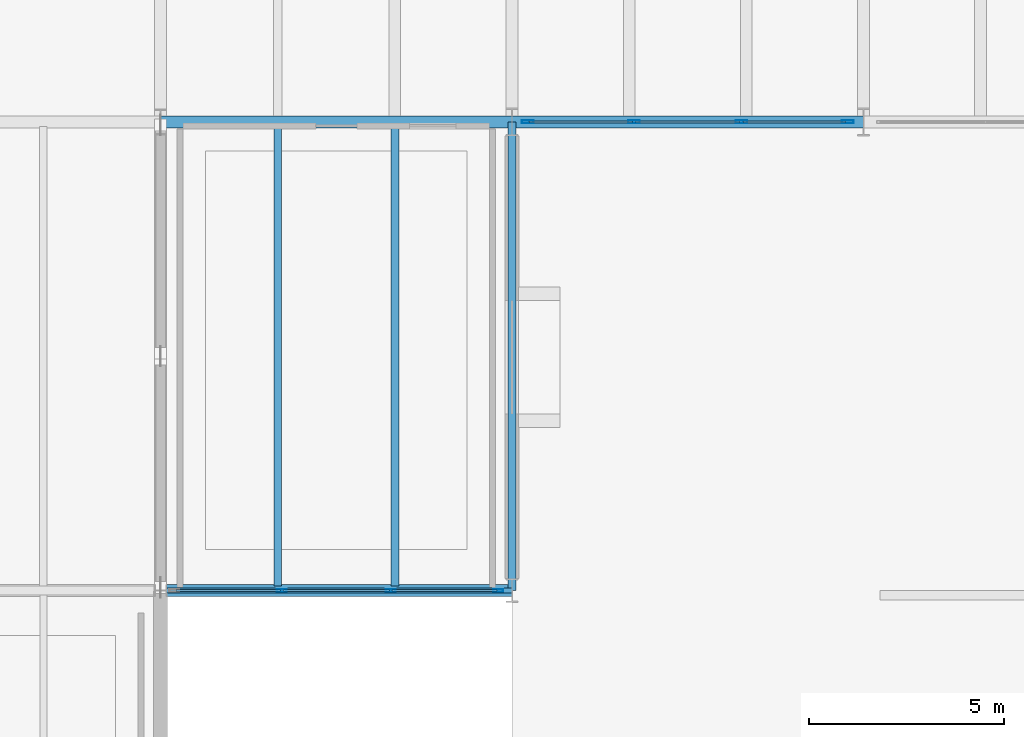
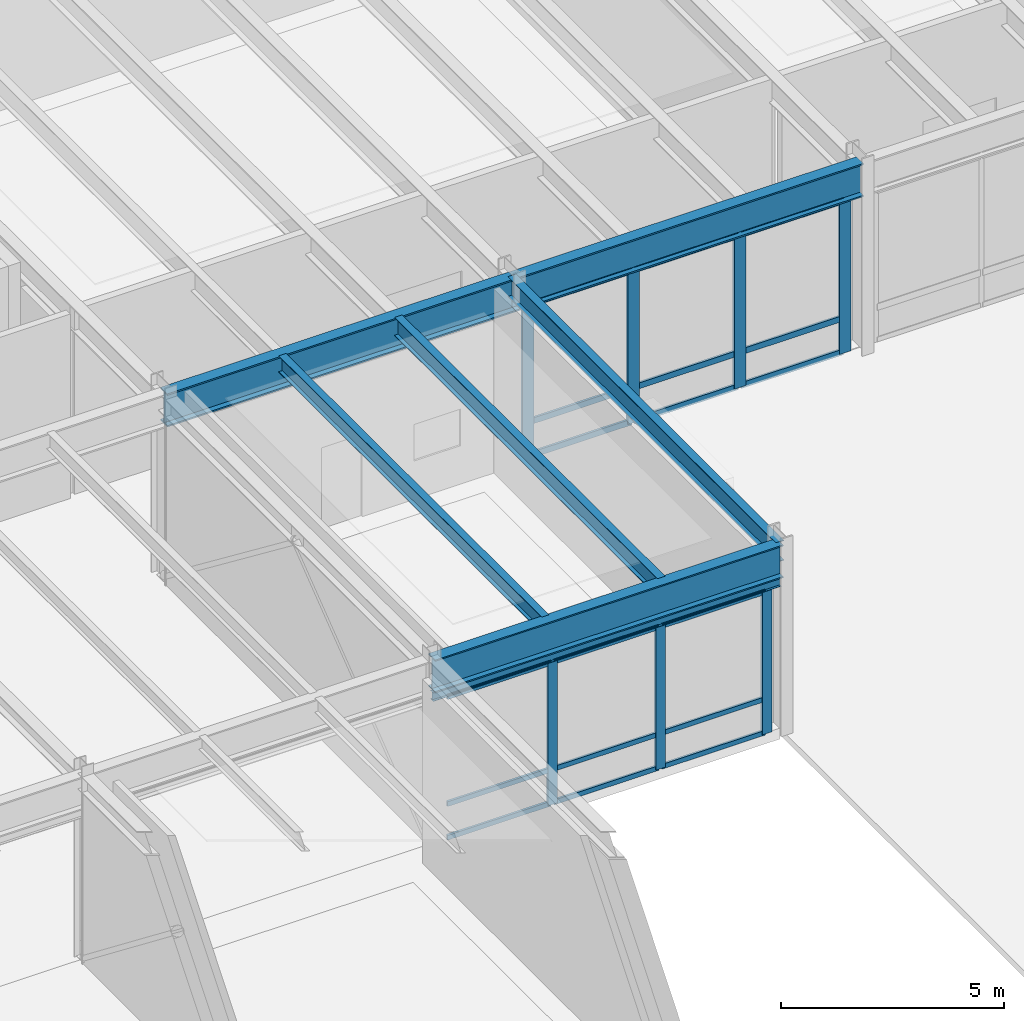
# One storey, part 98 of 143: 25 members, 7 beams, 2 elements without a shape of their own.
"""IFC4 building model written with IfcOpenShell, lengths in metres."""

from ifc_helpers import new_model, si_unit, direction, frame, origin, origin_2d, place, context, subcontext, project, spatial, hollow_rectangle, i_section, extrude, material, layer, layer_set, material_profile, profile_set, type_object, element, aggregate, save


model = new_model("IFC4")

# Units and contexts
model_context = context("Model", 3, precision=1e-05, world=origin(), true_north=direction((0.0, 1.0)))
body_context = subcontext(model_context, "Body", "Model", "MODEL_VIEW")
ifc_project = project(units=[si_unit("LENGTHUNIT", "METRE"), si_unit("AREAUNIT", "SQUARE_METRE"), si_unit("VOLUMEUNIT", "CUBIC_METRE"), si_unit("PLANEANGLEUNIT", "RADIAN"), si_unit("MASSUNIT", "GRAM", prefix="KILO")], contexts=[model_context])

# Site, building, storey
site_placement = place(None, origin())
site = spatial("IfcSite", under=ifc_project, at=site_placement, CompositionType="ELEMENT")
building_placement = place(site_placement, origin())
building = spatial("IfcBuilding", under=site, at=building_placement, Name="Montelvaro Courts of Justice", CompositionType="ELEMENT")
storey_placement = place(building_placement, origin())
storey = spatial("IfcBuildingStorey", under=building, at=storey_placement, Name="L00", CompositionType="ELEMENT", Elevation=0.0)

# Beams
ifc_material_1 = material(Name="Steel S355", Category="steel")
ifc_material_profile_1 = material_profile(ifc_material_1, i_section(OverallWidth=0.300048828125, OverallDepth=0.89990234375, WebThickness=0.0185546875, FlangeThickness=0.034912109375, at=origin_2d()), Name="HEB 900")
ifc_profile_set_1 = profile_set([ifc_material_profile_1], Name="Steel S355")
beam_type_1 = type_object("IfcBeamType", Name="Beam_HEB900", PredefinedType="USERDEFINED", material=ifc_profile_set_1)
beam_1_placement = place(storey_placement, frame((126.0, 66.0, 4.64990234375), z_axis=(1.0, 0.0, 0.0), x_axis=(0.0, 1.0, 0.0)))
element("IfcBeam", 1, at=beam_1_placement, inside=storey, type_object=beam_type_1, Name="Beam B-30 L00", ObjectType="GIRDER", PredefinedType="USERDEFINED", context=body_context, shape_type="SweptSolid", body=[
    extrude(i_section(OverallWidth=0.300048828125, OverallDepth=0.89990234375, WebThickness=0.0185546875, FlangeThickness=0.034912109375, at=origin_2d()), origin(), (0.0, 0.0, 1.0), 9.0),
])
ifc_material_profile_2 = material_profile(ifc_material_1, i_section(OverallWidth=0.302001953125, OverallDepth=0.909912109375, WebThickness=0.02099609375, FlangeThickness=0.0400390625, at=origin_2d()), Name="HEM 900")
ifc_profile_set_2 = profile_set([ifc_material_profile_2], Name="Steel S355")
beam_type_2 = type_object("IfcBeamType", Name="Beam_HEM900", PredefinedType="USERDEFINED", material=ifc_profile_set_2)
for number, where, z_axis, x_axis, name in (
    (2, (126.0, 78.0, 4.64501953125), (1.0, 0.0, 0.0), (0.0, 1.0, 0.0), "Beam B-31 L00"),
    (3, (135.0, 78.0, 4.64501953125), (1.0, 0.0, 0.0), (0.0, 1.0, 0.0), "Beam B-31 L00"),
):
    element("IfcBeam", number, at=place(storey_placement, frame(where, z_axis=z_axis, x_axis=x_axis)), inside=storey, type_object=beam_type_2, Name=name, ObjectType="GIRDER", PredefinedType="USERDEFINED", context=body_context, shape_type="SweptSolid", body=[
        extrude(i_section(OverallWidth=0.302001953125, OverallDepth=0.909912109375, WebThickness=0.02099609375, FlangeThickness=0.0400390625, at=origin_2d()), origin(), (0.0, 0.0, 1.0), 9.0),
    ])
ifc_material_profile_3 = material_profile(ifc_material_1, i_section(OverallWidth=0.1201171875, OverallDepth=0.239990234375, WebThickness=0.006103515625, FlangeThickness=0.009765625, at=origin_2d()), Name="IPE 240")
ifc_profile_set_3 = profile_set([ifc_material_profile_3], Name="Steel S355")
beam_type_3 = type_object("IfcBeamType", Name="Beam_IPE240", PredefinedType="LINTEL", material=ifc_profile_set_3)
beam_2_placement = place(storey_placement, frame((126.0, 66.0, 4.030029296875), z_axis=(1.0, 0.0, 0.0), x_axis=(0.0, 1.0, 0.0)))
element("IfcBeam", 4, at=beam_2_placement, inside=storey, type_object=beam_type_3, Name="Beam B-03 L00", PredefinedType="LINTEL", context=body_context, shape_type="SweptSolid", body=[
    extrude(i_section(OverallWidth=0.1201171875, OverallDepth=0.239990234375, WebThickness=0.006103515625, FlangeThickness=0.009765625, at=origin_2d()), origin(), (0.0, 0.0, 1.0), 9.0),
])
ifc_material_profile_4 = material_profile(ifc_material_1, i_section(OverallWidth=0.18994140625, OverallDepth=0.449951171875, WebThickness=0.009521484375, FlangeThickness=0.0146484375, at=origin_2d()), Name="IPE 450")
ifc_profile_set_4 = profile_set([ifc_material_profile_4], Name="Steel S355")
beam_type_4 = type_object("IfcBeamType", Name="Beam_IPE450", PredefinedType="BEAM", material=ifc_profile_set_4)
beam_3_placement = place(storey_placement, frame((129.0, 66.110107421875, 4.875), z_axis=(0.0, 1.0, 0.0), x_axis=(-1.0, 0.0, 0.0)))
element("IfcBeam", 5, at=beam_3_placement, inside=storey, type_object=beam_type_4, Name="Beam B-09 L00", PredefinedType="BEAM", context=body_context, shape_type="SweptSolid", body=[
    extrude(i_section(OverallWidth=0.18994140625, OverallDepth=0.449951171875, WebThickness=0.009521484375, FlangeThickness=0.0146484375, at=origin_2d()), origin(), (0.0, 0.0, 1.0), 11.77978515625),
])
ifc_material_profile_5 = material_profile(ifc_material_1, i_section(OverallWidth=0.199951171875, OverallDepth=0.5, WebThickness=0.01025390625, FlangeThickness=0.01611328125, at=origin_2d()), Name="IPE 500")
ifc_profile_set_5 = profile_set([ifc_material_profile_5], Name="Steel S355")
beam_type_5 = type_object("IfcBeamType", Name="Beam_IPE500", PredefinedType="BEAM", material=ifc_profile_set_5)
beam_4_placement = place(storey_placement, frame((132.0, 66.110107421875, 4.85009765625), z_axis=(0.0, 1.0, 0.0), x_axis=(-1.0, 0.0, 0.0)))
element("IfcBeam", 6, at=beam_4_placement, inside=storey, type_object=beam_type_5, Name="Beam B-10 L00", PredefinedType="BEAM", context=body_context, shape_type="SweptSolid", body=[
    extrude(i_section(OverallWidth=0.199951171875, OverallDepth=0.5, WebThickness=0.01025390625, FlangeThickness=0.01611328125, at=origin_2d()), origin(), (0.0, 0.0, 1.0), 11.77978515625),
])
ifc_material_profile_6 = material_profile(ifc_material_1, i_section(OverallWidth=0.2099609375, OverallDepth=0.550048828125, WebThickness=0.010986328125, FlangeThickness=0.01708984375, at=origin_2d()), Name="IPE 550")
ifc_profile_set_6 = profile_set([ifc_material_profile_6], Name="Steel S355")
beam_type_6 = type_object("IfcBeamType", Name="Beam_IPE550", PredefinedType="BEAM", material=ifc_profile_set_6)
beam_5_placement = place(storey_placement, frame((135.0, 66.0, 4.824951171875), z_axis=(0.0, 1.0, 0.0), x_axis=(-1.0, 0.0, 0.0)))
element("IfcBeam", 7, at=beam_5_placement, inside=storey, type_object=beam_type_6, Name="Beam B-11 L00", PredefinedType="BEAM", context=body_context, shape_type="SweptSolid", body=[
    extrude(i_section(OverallWidth=0.2099609375, OverallDepth=0.550048828125, WebThickness=0.010986328125, FlangeThickness=0.01708984375, at=origin_2d()), origin(), (0.0, 0.0, 1.0), 12.0),
])

# Curtain wall, members
ifc_material_2 = material(Name="Anodised aluminium EN AW-6063", Category="aluminium")
ifc_layer_1 = layer(ifc_material_2, 0.159912109375)
ifc_layer_set_1 = layer_set([ifc_layer_1], Name="Anodised aluminium EN AW-6063")
curtain_wall_type_1 = type_object("IfcCurtainWallType", Name="CurtainWall_05_837x508", PredefinedType="USERDEFINED", material=ifc_layer_set_1)
curtain_wall_1_placement = place(storey_placement, origin())
curtain_wall_1 = element("IfcCurtainWall", 8, at=curtain_wall_1_placement, inside=storey, type_object=curtain_wall_type_1, Name="Curtain Wall CW-05 (L00)", ObjectType="CURTAIN WALL", PredefinedType="USERDEFINED")
ifc_material_profile_7 = material_profile(ifc_material_2, hollow_rectangle(XDim=0.074951171875, YDim=0.25, WallThickness=0.005615234375, at=origin_2d()), Name="ALU-M 75x250")
ifc_profile_set_7 = profile_set([ifc_material_profile_7], Name="Anodised aluminium EN AW-6063")
member_type_1 = type_object("IfcMemberType", Name="CurtainWall_Mullion_75x250", PredefinedType="MULLION", material=ifc_profile_set_7)
member_1_placement = place(storey_placement, frame((129.10498046875, 66.0, 0.0), z_axis=(0.0, 0.0, 1.0), x_axis=(0.0, 1.0, 0.0)))
member_1 = element("IfcMember", 9, at=member_1_placement, type_object=member_type_1, Name="CW-05 mullion 2", PredefinedType="MULLION", context=body_context, shape_type="SweptSolid", body=[
    extrude(hollow_rectangle(XDim=0.074951171875, YDim=0.25, WallThickness=0.005615234375, at=origin_2d()), origin(), (0.0, 0.0, 1.0), 3.905029296875),
])
member_2_placement = place(storey_placement, frame((131.89501953125, 66.0, 0.0), z_axis=(0.0, 0.0, 1.0), x_axis=(0.0, 1.0, 0.0)))
member_2 = element("IfcMember", 10, at=member_2_placement, type_object=member_type_1, Name="CW-05 mullion 3", PredefinedType="MULLION", context=body_context, shape_type="SweptSolid", body=[
    extrude(hollow_rectangle(XDim=0.074951171875, YDim=0.25, WallThickness=0.005615234375, at=origin_2d()), origin(), (0.0, 0.0, 1.0), 3.905029296875),
])
member_3_placement = place(storey_placement, frame((134.6474609375, 66.0, 0.0), z_axis=(0.0, 0.0, 1.0), x_axis=(0.0, 1.0, 0.0)))
member_3 = element("IfcMember", 11, at=member_3_placement, type_object=member_type_1, Name="CW-05 mullion 4", PredefinedType="MULLION", context=body_context, shape_type="SweptSolid", body=[
    extrude(hollow_rectangle(XDim=0.074951171875, YDim=0.25, WallThickness=0.005615234375, at=origin_2d()), origin(), (0.0, 0.0, 1.0), 3.905029296875),
])

ifc_layer_2 = layer(ifc_material_2, 0.159912109375)
ifc_layer_set_2 = layer_set([ifc_layer_2], Name="Anodised aluminium EN AW-6063")
curtain_wall_type_2 = type_object("IfcCurtainWallType", Name="CurtainWall_01_827x508", PredefinedType="USERDEFINED", material=ifc_layer_set_2)
curtain_wall_2_placement = place(storey_placement, origin())
curtain_wall_2 = element("IfcCurtainWall", 12, at=curtain_wall_2_placement, inside=storey, type_object=curtain_wall_type_2, Name="Curtain Wall CW-01 (L00)", ObjectType="CURTAIN WALL", PredefinedType="USERDEFINED")
ifc_material_profile_8 = material_profile(ifc_material_2, hollow_rectangle(XDim=0.074951171875, YDim=0.300048828125, WallThickness=0.006103515625, at=origin_2d()), Name="ALU-M 75x300")
ifc_profile_set_8 = profile_set([ifc_material_profile_8], Name="Anodised aluminium EN AW-6063")
member_type_2 = type_object("IfcMemberType", Name="CurtainWall_Mullion_75x300", PredefinedType="MULLION", material=ifc_profile_set_8)
member_4_placement = place(storey_placement, frame((135.402587890625, 78.0, 0.0), z_axis=(0.0, 0.0, 1.0), x_axis=(0.0, 1.0, 0.0)))
member_4 = element("IfcMember", 13, at=member_4_placement, type_object=member_type_2, Name="CW-01 mullion 1", PredefinedType="MULLION", context=body_context, shape_type="SweptSolid", body=[
    extrude(hollow_rectangle(XDim=0.074951171875, YDim=0.300048828125, WallThickness=0.006103515625, at=origin_2d()), origin(), (0.0, 0.0, 1.0), 4.18505859375),
])
member_5_placement = place(storey_placement, frame((138.12158203125, 78.0, 0.0), z_axis=(0.0, 0.0, 1.0), x_axis=(0.0, 1.0, 0.0)))
member_5 = element("IfcMember", 14, at=member_5_placement, type_object=member_type_2, Name="CW-01 mullion 2", PredefinedType="MULLION", context=body_context, shape_type="SweptSolid", body=[
    extrude(hollow_rectangle(XDim=0.074951171875, YDim=0.300048828125, WallThickness=0.006103515625, at=origin_2d()), origin(), (0.0, 0.0, 1.0), 4.18505859375),
])
member_6_placement = place(storey_placement, frame((140.87841796875, 78.0, 0.0), z_axis=(0.0, 0.0, 1.0), x_axis=(0.0, 1.0, 0.0)))
member_6 = element("IfcMember", 15, at=member_6_placement, type_object=member_type_2, Name="CW-01 mullion 3", PredefinedType="MULLION", context=body_context, shape_type="SweptSolid", body=[
    extrude(hollow_rectangle(XDim=0.074951171875, YDim=0.300048828125, WallThickness=0.006103515625, at=origin_2d()), origin(), (0.0, 0.0, 1.0), 4.18505859375),
])
member_7_placement = place(storey_placement, frame((143.597412109375, 78.0, 0.0), z_axis=(0.0, 0.0, 1.0), x_axis=(0.0, 1.0, 0.0)))
member_7 = element("IfcMember", 16, at=member_7_placement, type_object=member_type_2, Name="CW-01 mullion 4", PredefinedType="MULLION", context=body_context, shape_type="SweptSolid", body=[
    extrude(hollow_rectangle(XDim=0.074951171875, YDim=0.300048828125, WallThickness=0.006103515625, at=origin_2d()), origin(), (0.0, 0.0, 1.0), 4.18505859375),
])

# Member
ifc_material_profile_9 = material_profile(ifc_material_2, hollow_rectangle(XDim=0.06005859375, YDim=0.1298828125, WallThickness=0.00390625, at=origin_2d()), Name="ALU-T 60x130")
ifc_profile_set_9 = profile_set([ifc_material_profile_9], Name="Anodised aluminium EN AW-6063")
member_type_3 = type_object("IfcMemberType", Name="CurtainWall_Transom_60x130", PredefinedType="USERDEFINED", material=ifc_profile_set_9)
member_8_placement = place(storey_placement, frame((126.389892578125, 66.0, 0.030029296875), z_axis=(1.0, 0.0, 0.0), x_axis=(0.0, 1.0, 0.0)))
member_8 = element("IfcMember", 17, at=member_8_placement, type_object=member_type_3, Name="CW-05 transom 1.1", ObjectType="TRANSOM", PredefinedType="USERDEFINED", context=body_context, shape_type="SweptSolid", body=[
    extrude(hollow_rectangle(XDim=0.06005859375, YDim=0.1298828125, WallThickness=0.00390625, at=origin_2d()), origin(), (0.0, 0.0, 1.0), 2.677490234375),
])

member_9_placement = place(storey_placement, frame((126.389892578125, 66.0, 0.949951171875), z_axis=(1.0, 0.0, 0.0), x_axis=(0.0, 1.0, 0.0)))
member_9 = element("IfcMember", 18, at=member_9_placement, type_object=member_type_3, Name="CW-05 transom 1.2", ObjectType="TRANSOM", PredefinedType="USERDEFINED", context=body_context, shape_type="SweptSolid", body=[
    extrude(hollow_rectangle(XDim=0.06005859375, YDim=0.1298828125, WallThickness=0.00390625, at=origin_2d()), origin(), (0.0, 0.0, 1.0), 2.677490234375),
])

member_10_placement = place(storey_placement, frame((126.389892578125, 66.0, 3.875), z_axis=(1.0, 0.0, 0.0), x_axis=(0.0, 1.0, 0.0)))
member_10 = element("IfcMember", 19, at=member_10_placement, type_object=member_type_3, Name="CW-05 transom 1.3", ObjectType="TRANSOM", PredefinedType="USERDEFINED", context=body_context, shape_type="SweptSolid", body=[
    extrude(hollow_rectangle(XDim=0.06005859375, YDim=0.1298828125, WallThickness=0.00390625, at=origin_2d()), origin(), (0.0, 0.0, 1.0), 2.677490234375),
])

member_11_placement = place(storey_placement, frame((129.142578125, 66.0, 0.030029296875), z_axis=(1.0, 0.0, 0.0), x_axis=(0.0, 1.0, 0.0)))
member_11 = element("IfcMember", 20, at=member_11_placement, type_object=member_type_3, Name="CW-05 transom 2.1", ObjectType="TRANSOM", PredefinedType="USERDEFINED", context=body_context, shape_type="SweptSolid", body=[
    extrude(hollow_rectangle(XDim=0.06005859375, YDim=0.1298828125, WallThickness=0.00390625, at=origin_2d()), origin(), (0.0, 0.0, 1.0), 2.71484375),
])

member_12_placement = place(storey_placement, frame((129.142578125, 66.0, 0.949951171875), z_axis=(1.0, 0.0, 0.0), x_axis=(0.0, 1.0, 0.0)))
member_12 = element("IfcMember", 21, at=member_12_placement, type_object=member_type_3, Name="CW-05 transom 2.2", ObjectType="TRANSOM", PredefinedType="USERDEFINED", context=body_context, shape_type="SweptSolid", body=[
    extrude(hollow_rectangle(XDim=0.06005859375, YDim=0.1298828125, WallThickness=0.00390625, at=origin_2d()), origin(), (0.0, 0.0, 1.0), 2.71484375),
])

member_13_placement = place(storey_placement, frame((129.142578125, 66.0, 3.875), z_axis=(1.0, 0.0, 0.0), x_axis=(0.0, 1.0, 0.0)))
member_13 = element("IfcMember", 22, at=member_13_placement, type_object=member_type_3, Name="CW-05 transom 2.3", ObjectType="TRANSOM", PredefinedType="USERDEFINED", context=body_context, shape_type="SweptSolid", body=[
    extrude(hollow_rectangle(XDim=0.06005859375, YDim=0.1298828125, WallThickness=0.00390625, at=origin_2d()), origin(), (0.0, 0.0, 1.0), 2.71484375),
])

member_14_placement = place(storey_placement, frame((131.9326171875, 66.0, 0.030029296875), z_axis=(1.0, 0.0, 0.0), x_axis=(0.0, 1.0, 0.0)))
member_14 = element("IfcMember", 23, at=member_14_placement, type_object=member_type_3, Name="CW-05 transom 3.1", ObjectType="TRANSOM", PredefinedType="USERDEFINED", context=body_context, shape_type="SweptSolid", body=[
    extrude(hollow_rectangle(XDim=0.06005859375, YDim=0.1298828125, WallThickness=0.00390625, at=origin_2d()), origin(), (0.0, 0.0, 1.0), 2.677490234375),
])

member_15_placement = place(storey_placement, frame((131.9326171875, 66.0, 0.949951171875), z_axis=(1.0, 0.0, 0.0), x_axis=(0.0, 1.0, 0.0)))
member_15 = element("IfcMember", 24, at=member_15_placement, type_object=member_type_3, Name="CW-05 transom 3.2", ObjectType="TRANSOM", PredefinedType="USERDEFINED", context=body_context, shape_type="SweptSolid", body=[
    extrude(hollow_rectangle(XDim=0.06005859375, YDim=0.1298828125, WallThickness=0.00390625, at=origin_2d()), origin(), (0.0, 0.0, 1.0), 2.677490234375),
])

member_16_placement = place(storey_placement, frame((131.9326171875, 66.0, 3.875), z_axis=(1.0, 0.0, 0.0), x_axis=(0.0, 1.0, 0.0)))
member_16 = element("IfcMember", 25, at=member_16_placement, type_object=member_type_3, Name="CW-05 transom 3.3", ObjectType="TRANSOM", PredefinedType="USERDEFINED", context=body_context, shape_type="SweptSolid", body=[
    extrude(hollow_rectangle(XDim=0.06005859375, YDim=0.1298828125, WallThickness=0.00390625, at=origin_2d()), origin(), (0.0, 0.0, 1.0), 2.677490234375),
])

aggregate(curtain_wall_1, [member_1, member_2, member_3, member_8, member_9, member_10, member_11, member_12, member_13, member_14, member_15, member_16])

ifc_material_profile_10 = material_profile(ifc_material_2, hollow_rectangle(XDim=0.06005859375, YDim=0.159912109375, WallThickness=0.00439453125, at=origin_2d()), Name="ALU-T 60x160")
ifc_profile_set_10 = profile_set([ifc_material_profile_10], Name="Anodised aluminium EN AW-6063")
member_type_4 = type_object("IfcMemberType", Name="CurtainWall_Transom_60x160", PredefinedType="USERDEFINED", material=ifc_profile_set_10)
member_17_placement = place(storey_placement, frame((135.43994140625, 78.0, 0.030029296875), z_axis=(1.0, 0.0, 0.0), x_axis=(0.0, 1.0, 0.0)))
member_17 = element("IfcMember", 26, at=member_17_placement, type_object=member_type_4, Name="CW-01 transom 1.1", ObjectType="TRANSOM", PredefinedType="USERDEFINED", context=body_context, shape_type="SweptSolid", body=[
    extrude(hollow_rectangle(XDim=0.06005859375, YDim=0.159912109375, WallThickness=0.00439453125, at=origin_2d()), origin(), (0.0, 0.0, 1.0), 2.644287109375),
])

member_18_placement = place(storey_placement, frame((135.43994140625, 78.0, 0.949951171875), z_axis=(1.0, 0.0, 0.0), x_axis=(0.0, 1.0, 0.0)))
member_18 = element("IfcMember", 27, at=member_18_placement, type_object=member_type_4, Name="CW-01 transom 1.2", ObjectType="TRANSOM", PredefinedType="USERDEFINED", context=body_context, shape_type="SweptSolid", body=[
    extrude(hollow_rectangle(XDim=0.06005859375, YDim=0.159912109375, WallThickness=0.00439453125, at=origin_2d()), origin(), (0.0, 0.0, 1.0), 2.644287109375),
])

member_19_placement = place(storey_placement, frame((135.43994140625, 78.0, 4.155029296875), z_axis=(1.0, 0.0, 0.0), x_axis=(0.0, 1.0, 0.0)))
member_19 = element("IfcMember", 28, at=member_19_placement, type_object=member_type_4, Name="CW-01 transom 1.3", ObjectType="TRANSOM", PredefinedType="USERDEFINED", context=body_context, shape_type="SweptSolid", body=[
    extrude(hollow_rectangle(XDim=0.06005859375, YDim=0.159912109375, WallThickness=0.00439453125, at=origin_2d()), origin(), (0.0, 0.0, 1.0), 2.644287109375),
])

member_20_placement = place(storey_placement, frame((138.1591796875, 78.0, 0.030029296875), z_axis=(1.0, 0.0, 0.0), x_axis=(0.0, 1.0, 0.0)))
member_20 = element("IfcMember", 29, at=member_20_placement, type_object=member_type_4, Name="CW-01 transom 2.1", ObjectType="TRANSOM", PredefinedType="USERDEFINED", context=body_context, shape_type="SweptSolid", body=[
    extrude(hollow_rectangle(XDim=0.06005859375, YDim=0.159912109375, WallThickness=0.00439453125, at=origin_2d()), origin(), (0.0, 0.0, 1.0), 2.681640625),
])

member_21_placement = place(storey_placement, frame((138.1591796875, 78.0, 0.949951171875), z_axis=(1.0, 0.0, 0.0), x_axis=(0.0, 1.0, 0.0)))
member_21 = element("IfcMember", 30, at=member_21_placement, type_object=member_type_4, Name="CW-01 transom 2.2", ObjectType="TRANSOM", PredefinedType="USERDEFINED", context=body_context, shape_type="SweptSolid", body=[
    extrude(hollow_rectangle(XDim=0.06005859375, YDim=0.159912109375, WallThickness=0.00439453125, at=origin_2d()), origin(), (0.0, 0.0, 1.0), 2.681640625),
])

member_22_placement = place(storey_placement, frame((138.1591796875, 78.0, 4.155029296875), z_axis=(1.0, 0.0, 0.0), x_axis=(0.0, 1.0, 0.0)))
member_22 = element("IfcMember", 31, at=member_22_placement, type_object=member_type_4, Name="CW-01 transom 2.3", ObjectType="TRANSOM", PredefinedType="USERDEFINED", context=body_context, shape_type="SweptSolid", body=[
    extrude(hollow_rectangle(XDim=0.06005859375, YDim=0.159912109375, WallThickness=0.00439453125, at=origin_2d()), origin(), (0.0, 0.0, 1.0), 2.681640625),
])

member_23_placement = place(storey_placement, frame((140.915771484375, 78.0, 0.030029296875), z_axis=(1.0, 0.0, 0.0), x_axis=(0.0, 1.0, 0.0)))
member_23 = element("IfcMember", 32, at=member_23_placement, type_object=member_type_4, Name="CW-01 transom 3.1", ObjectType="TRANSOM", PredefinedType="USERDEFINED", context=body_context, shape_type="SweptSolid", body=[
    extrude(hollow_rectangle(XDim=0.06005859375, YDim=0.159912109375, WallThickness=0.00439453125, at=origin_2d()), origin(), (0.0, 0.0, 1.0), 2.644287109375),
])

member_24_placement = place(storey_placement, frame((140.915771484375, 78.0, 0.949951171875), z_axis=(1.0, 0.0, 0.0), x_axis=(0.0, 1.0, 0.0)))
member_24 = element("IfcMember", 33, at=member_24_placement, type_object=member_type_4, Name="CW-01 transom 3.2", ObjectType="TRANSOM", PredefinedType="USERDEFINED", context=body_context, shape_type="SweptSolid", body=[
    extrude(hollow_rectangle(XDim=0.06005859375, YDim=0.159912109375, WallThickness=0.00439453125, at=origin_2d()), origin(), (0.0, 0.0, 1.0), 2.644287109375),
])

member_25_placement = place(storey_placement, frame((140.915771484375, 78.0, 4.155029296875), z_axis=(1.0, 0.0, 0.0), x_axis=(0.0, 1.0, 0.0)))
member_25 = element("IfcMember", 34, at=member_25_placement, type_object=member_type_4, Name="CW-01 transom 3.3", ObjectType="TRANSOM", PredefinedType="USERDEFINED", context=body_context, shape_type="SweptSolid", body=[
    extrude(hollow_rectangle(XDim=0.06005859375, YDim=0.159912109375, WallThickness=0.00439453125, at=origin_2d()), origin(), (0.0, 0.0, 1.0), 2.644287109375),
])

aggregate(curtain_wall_2, [member_4, member_5, member_6, member_7, member_17, member_18, member_19, member_20, member_21, member_22, member_23, member_24, member_25])

save(model, "model.ifc")
